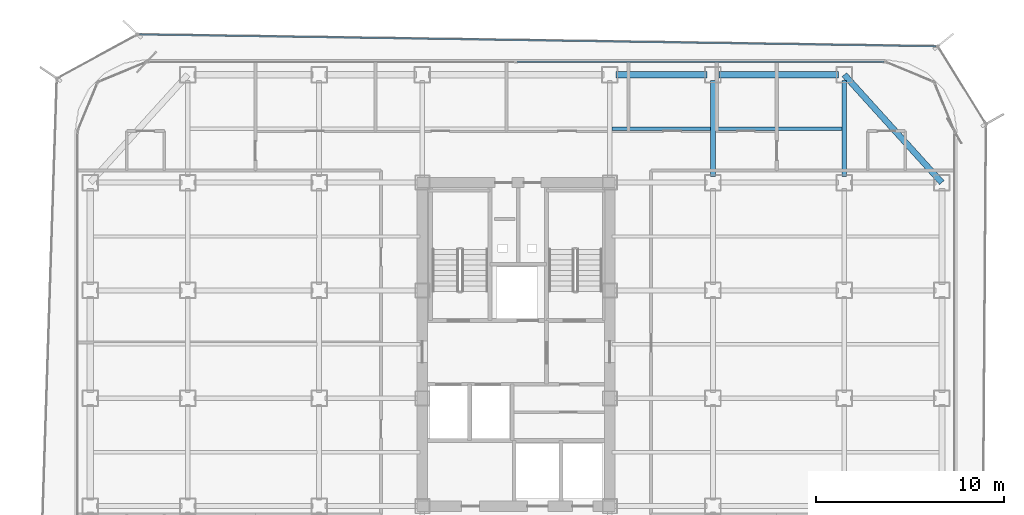
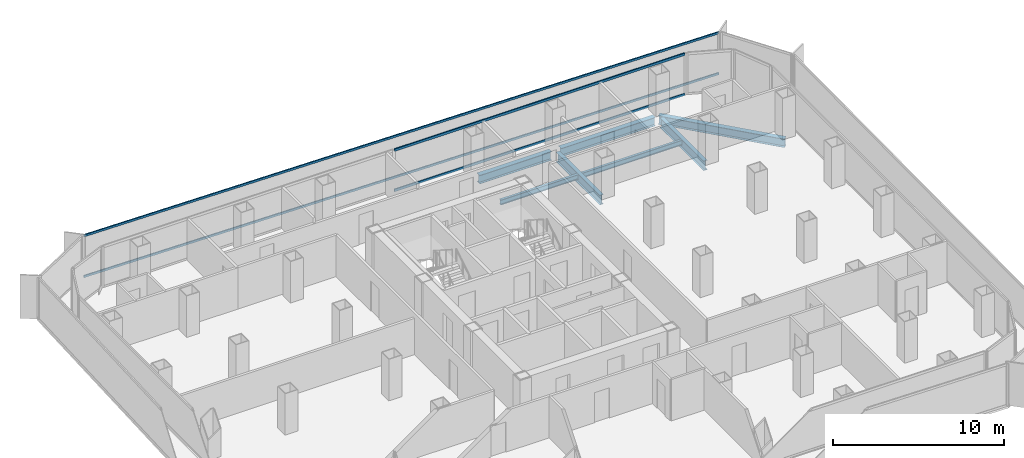
# One storey, part 13 of 21: 7 beams, 4 members, 2 elements without a shape of their own.
"""IFC4 building model written with IfcOpenShell, lengths in metres."""

from ifc_helpers import new_model, si_unit, direction, frame, origin, origin_2d, place, context, subcontext, project, spatial, hollow_rectangle, i_section, extrude, source, transform, mapped, material, layer, layer_set, material_profile, profile_set, type_object, element, aggregate, save


model = new_model("IFC4")

# Units and contexts
model_context = context("Model", 3, precision=1e-05, world=origin(), true_north=direction((0.0, 1.0)))
body_context = subcontext(model_context, "Body", "Model", "MODEL_VIEW")
ifc_project = project(units=[si_unit("LENGTHUNIT", "METRE"), si_unit("AREAUNIT", "SQUARE_METRE"), si_unit("VOLUMEUNIT", "CUBIC_METRE"), si_unit("PLANEANGLEUNIT", "RADIAN"), si_unit("MASSUNIT", "GRAM", prefix="KILO")], contexts=[model_context])

# Site, building, storey
site_placement = place(None, origin())
site = spatial("IfcSite", under=ifc_project, at=site_placement, CompositionType="ELEMENT")
building_placement = place(site_placement, origin())
building = spatial("IfcBuilding", under=site, at=building_placement, Name="Kolveth Station Tower", CompositionType="ELEMENT")
storey_placement = place(building_placement, frame((0.0, 0.0, 127.89990234375)))
storey = spatial("IfcBuildingStorey", under=building, at=storey_placement, Name="L35", CompositionType="ELEMENT", Elevation=127.89990234375)

# Beams
ifc_material_1 = material(Name="Steel S355", Category="steel")
ifc_material_profile_1 = material_profile(ifc_material_1, i_section(OverallWidth=0.323974609375, OverallDepth=0.611083984375, WebThickness=0.0126953125, FlangeThickness=0.01904296875, at=origin_2d()), Name="W610x155")
ifc_profile_set_1 = profile_set([ifc_material_profile_1], Name="Steel S355")
beam_type_1 = type_object("IfcBeamType", Name="Beam_SP2", PredefinedType="SPANDREL", material=ifc_profile_set_1)
shared_shape_1 = source(origin(), body_context, "Body", "SweptSolid", [
    extrude(i_section(OverallWidth=0.323974609375, OverallDepth=0.611083984375, WebThickness=0.0126953125, FlangeThickness=0.01904296875, at=origin_2d()), origin(), (0.0, 0.0, 1.0), 6.35986328125),
])
beam_1_placement = place(storey_placement, frame((34.320068359375, 34.5, -0.555419921875), z_axis=(1.0, 0.0, 0.0), x_axis=(0.0, 1.0, 0.0)))
element("IfcBeam", 1, at=beam_1_placement, inside=storey, type_object=beam_type_1, Name="L35 Perimeter Spandrel BM-L35-PN-5", PredefinedType="SPANDREL", context=body_context, shape_type="MappedRepresentation", body=[
    mapped(shared_shape_1, transform((0.0, 0.0, 0.0), x_axis=(1.0, 0.0, 0.0), y_axis=(0.0, 1.0, 0.0), z_axis=(0.0, 0.0, 1.0), scale=1.0)),
])
shared_shape_2 = source(origin(), body_context, "Body", "SweptSolid", [
    extrude(i_section(OverallWidth=0.323974609375, OverallDepth=0.611083984375, WebThickness=0.0126953125, FlangeThickness=0.01904296875, at=origin_2d()), origin(), (0.0, 0.0, 1.0), 4.85986328125),
])
beam_2_placement = place(storey_placement, frame((28.820068359375, 34.5, -0.555419921875), z_axis=(1.0, 0.0, 0.0), x_axis=(0.0, 1.0, 0.0)))
element("IfcBeam", 2, at=beam_2_placement, inside=storey, type_object=beam_type_1, Name="L35 Perimeter Spandrel BM-L35-PN-4", PredefinedType="SPANDREL", context=body_context, shape_type="MappedRepresentation", body=[
    mapped(shared_shape_2, transform((0.0, 0.0, 0.0), x_axis=(1.0, 0.0, 0.0), y_axis=(0.0, 1.0, 0.0), z_axis=(0.0, 0.0, 1.0), scale=1.0)),
])
shared_shape_3 = source(origin(), body_context, "Body", "SweptSolid", [
    extrude(i_section(OverallWidth=0.323974609375, OverallDepth=0.611083984375, WebThickness=0.0126953125, FlangeThickness=0.01904296875, at=origin_2d()), origin(), (0.0, 0.0, 1.0), 7.75244140625),
])
beam_3_placement = place(storey_placement, frame((46.199951171875, 28.75, -0.555419921875), z_axis=(-0.670740965555, 0.74169168603, 0.0), x_axis=(-0.74169168603, -0.670740965555, 0.0)))
element("IfcBeam", 3, at=beam_3_placement, inside=storey, type_object=beam_type_1, Name="L35 Corner Edge Girder BM-L35-CNR-NE", PredefinedType="SPANDREL", context=body_context, shape_type="MappedRepresentation", body=[
    mapped(shared_shape_3, transform((0.0, 0.0, 0.0), x_axis=(1.0, 0.0, 0.0), y_axis=(0.0, 1.0, 0.0), z_axis=(0.0, 0.0, 1.0), scale=1.0)),
])
ifc_material_profile_2 = material_profile(ifc_material_1, i_section(OverallWidth=0.25390625, OverallDepth=0.68798828125, WebThickness=0.01318359375, FlangeThickness=0.02099609375, at=origin_2d()), Name="W690x152")
ifc_profile_set_2 = profile_set([ifc_material_profile_2], Name="Steel S355")
beam_type_2 = type_object("IfcBeamType", Name="Beam_B4", PredefinedType="BEAM", material=ifc_profile_set_2)
shared_shape_4 = source(origin(), body_context, "Body", "SweptSolid", [
    extrude(i_section(OverallWidth=0.25390625, OverallDepth=0.68798828125, WebThickness=0.01318359375, FlangeThickness=0.02099609375, at=origin_2d()), origin(), (0.0, 0.0, 1.0), 5.10986328125),
])
for number, where, z_axis, x_axis, name in (
    (4, (34.0, 29.070068359375, -0.593994140625), (0.0, 1.0, 0.0), (-1.0, 0.0, 0.0), "L35 Primary Girder BM-L35-GX340-6"),
    (5, (41.0, 29.070068359375, -0.593994140625), (0.0, 1.0, 0.0), (-1.0, 0.0, 0.0), "L35 Primary Girder BM-L35-GX410-6"),
):
    element("IfcBeam", number, at=place(storey_placement, frame(where, z_axis=z_axis, x_axis=x_axis)), inside=storey, type_object=beam_type_2, Name=name, PredefinedType="BEAM", context=body_context, shape_type="MappedRepresentation", body=[
        mapped(shared_shape_4, transform((0.0, 0.0, 0.0), x_axis=(1.0, 0.0, 0.0), y_axis=(0.0, 1.0, 0.0), z_axis=(0.0, 0.0, 1.0), scale=1.0)),
    ])
ifc_material_profile_3 = material_profile(ifc_material_1, i_section(OverallWidth=0.1708984375, OverallDepth=0.35205078125, WebThickness=0.0068359375, FlangeThickness=0.009765625, at=origin_2d()), Name="W360x44")
ifc_profile_set_3 = profile_set([ifc_material_profile_3], Name="Steel S355")
beam_type_3 = type_object("IfcBeamType", Name="Beam_J2", PredefinedType="JOIST", material=ifc_profile_set_3)
shared_shape_5 = source(origin(), body_context, "Body", "SweptSolid", [
    extrude(i_section(OverallWidth=0.1708984375, OverallDepth=0.35205078125, WebThickness=0.0068359375, FlangeThickness=0.009765625, at=origin_2d()), origin(), (0.0, 0.0, 1.0), 6.75),
])
beam_4_placement = place(storey_placement, frame((34.125, 31.625, -0.42578125), z_axis=(1.0, 0.0, 0.0), x_axis=(0.0, 1.0, 0.0)))
element("IfcBeam", 6, at=beam_4_placement, inside=storey, type_object=beam_type_3, Name="L35 Secondary Joist JST-L35-6-6", PredefinedType="JOIST", context=body_context, shape_type="MappedRepresentation", body=[
    mapped(shared_shape_5, transform((0.0, 0.0, 0.0), x_axis=(1.0, 0.0, 0.0), y_axis=(0.0, 1.0, 0.0), z_axis=(0.0, 0.0, 1.0), scale=1.0)),
])
shared_shape_6 = source(origin(), body_context, "Body", "SweptSolid", [
    extrude(i_section(OverallWidth=0.1708984375, OverallDepth=0.35205078125, WebThickness=0.0068359375, FlangeThickness=0.009765625, at=origin_2d()), origin(), (0.0, 0.0, 1.0), 5.25),
])
beam_5_placement = place(storey_placement, frame((28.625, 31.625, -0.42578125), z_axis=(1.0, 0.0, 0.0), x_axis=(0.0, 1.0, 0.0)))
element("IfcBeam", 7, at=beam_5_placement, inside=storey, type_object=beam_type_3, Name="L35 Secondary Joist JST-L35-5-6", PredefinedType="JOIST", context=body_context, shape_type="MappedRepresentation", body=[
    mapped(shared_shape_6, transform((0.0, 0.0, 0.0), x_axis=(1.0, 0.0, 0.0), y_axis=(0.0, 1.0, 0.0), z_axis=(0.0, 0.0, 1.0), scale=1.0)),
])

# Curtain wall, members
ifc_material_2 = material(Name="Aluminium 6063-T6 and low-E dark glass", Category="aluminium")
ifc_layer_1 = layer(ifc_material_2, 0.18994140625)
ifc_layer_set_1 = layer_set([ifc_layer_1], Name="Aluminium 6063-T6 and low-E dark glass")
curtain_wall_type_1 = type_object("IfcCurtainWallType", Name="CurtainWall_CW-Z2", PredefinedType="NOTDEFINED", material=ifc_layer_set_1)
curtain_wall_1_placement = place(storey_placement, origin())
curtain_wall_1 = element("IfcCurtainWall", 8, at=curtain_wall_1_placement, inside=storey, type_object=curtain_wall_type_1, Name="L35 Inner Thermal Curtain Wall 6", PredefinedType="NOTDEFINED")
ifc_material_3 = material(Name="Black anodized aluminium 6063-T6", Category="aluminium")
ifc_material_profile_4 = material_profile(ifc_material_3, hollow_rectangle(XDim=0.080078125, YDim=0.169921875, WallThickness=0.0048828125, at=origin_2d()), Name="ALU-80x170x5")
ifc_profile_set_4 = profile_set([ifc_material_profile_4], Name="Black anodized aluminium 6063-T6")
member_type_1 = type_object("IfcMemberType", Name="Transom_TR2", PredefinedType="USERDEFINED", material=ifc_profile_set_4)
shared_shape_7 = source(origin(), body_context, "Body", "SweptSolid", [
    extrude(hollow_rectangle(XDim=0.080078125, YDim=0.169921875, WallThickness=0.0048828125, at=origin_2d()), origin(), (0.0, 0.0, 1.0), 19.580078125),
])
member_1_placement = place(storey_placement, frame((43.1201171875, 35.179931640625, 0.0400390625), z_axis=(-1.0, 0.0, 0.0), x_axis=(0.0, -1.0, 0.0)))
member_1 = element("IfcMember", 9, at=member_1_placement, type_object=member_type_1, Name="CW-Z2 transom 1.1", ObjectType="TRANSOM", PredefinedType="USERDEFINED", context=body_context, shape_type="MappedRepresentation", body=[
    mapped(shared_shape_7, transform((0.0, 0.0, 0.0), x_axis=(1.0, 0.0, 0.0), y_axis=(0.0, 1.0, 0.0), z_axis=(0.0, 0.0, 1.0), scale=1.0)),
])
member_2_placement = place(storey_placement, frame((43.1201171875, 35.179931640625, 2.91015625), z_axis=(-1.0, 0.0, 0.0), x_axis=(0.0, -1.0, 0.0)))
member_2 = element("IfcMember", 10, at=member_2_placement, type_object=member_type_1, Name="CW-Z2 transom 1.2", ObjectType="TRANSOM", PredefinedType="USERDEFINED", context=body_context, shape_type="MappedRepresentation", body=[
    mapped(shared_shape_7, transform((0.0, 0.0, 0.0), x_axis=(1.0, 0.0, 0.0), y_axis=(0.0, 1.0, 0.0), z_axis=(0.0, 0.0, 1.0), scale=1.0)),
])
aggregate(curtain_wall_1, [member_1, member_2])

ifc_material_4 = material(Name="Black anodized aluminium 6063-T6 and dark solar glass", Category="aluminium")
ifc_layer_2 = layer(ifc_material_4, 0.159912109375)
ifc_layer_set_2 = layer_set([ifc_layer_2], Name="Black anodized aluminium 6063-T6 and dark solar glass")
curtain_wall_type_2 = type_object("IfcCurtainWallType", Name="OUTER SKIN CW-OS", PredefinedType="NOTDEFINED", material=ifc_layer_set_2)
curtain_wall_2_placement = place(storey_placement, origin())
curtain_wall_2 = element("IfcCurtainWall", 11, at=curtain_wall_2_placement, inside=storey, type_object=curtain_wall_type_2, Name="L35 Outer Ventilated Skin Curtain Wall 4", PredefinedType="NOTDEFINED")
ifc_material_profile_5 = material_profile(ifc_material_3, hollow_rectangle(XDim=0.080078125, YDim=0.14990234375, WallThickness=0.0048828125, at=origin_2d()), Name="ALU-80x150x5")
ifc_profile_set_5 = profile_set([ifc_material_profile_5], Name="Black anodized aluminium 6063-T6")
member_type_2 = type_object("IfcMemberType", Name="Transom_TR-OS", PredefinedType="USERDEFINED", material=ifc_profile_set_5)
shared_shape_8 = source(origin(), body_context, "Body", "SweptSolid", [
    extrude(hollow_rectangle(XDim=0.080078125, YDim=0.14990234375, WallThickness=0.0048828125, at=origin_2d()), origin(), (0.0, 0.0, 1.0), 42.480224609375),
])
member_3_placement = place(storey_placement, frame((45.901123046875, 36.0166015625, 0.0400390625), z_axis=(-0.999889808429, 0.014844898121, 0.0), x_axis=(-0.014844898121, -0.999889808429, 0.0)))
member_3 = element("IfcMember", 12, at=member_3_placement, type_object=member_type_2, Name="CW-OS transom 1.1", ObjectType="TRANSOM", PredefinedType="USERDEFINED", context=body_context, shape_type="MappedRepresentation", body=[
    mapped(shared_shape_8, transform((0.0, 0.0, 0.0), x_axis=(1.0, 0.0, 0.0), y_axis=(0.0, 1.0, 0.0), z_axis=(0.0, 0.0, 1.0), scale=1.0)),
])
member_4_placement = place(storey_placement, frame((45.901123046875, 36.0166015625, 2.9501953125), z_axis=(-0.999889808429, 0.014844898121, 0.0), x_axis=(-0.014844898121, -0.999889808429, 0.0)))
member_4 = element("IfcMember", 13, at=member_4_placement, type_object=member_type_2, Name="CW-OS transom 1.2", ObjectType="TRANSOM", PredefinedType="USERDEFINED", context=body_context, shape_type="MappedRepresentation", body=[
    mapped(shared_shape_8, transform((0.0, 0.0, 0.0), x_axis=(1.0, 0.0, 0.0), y_axis=(0.0, 1.0, 0.0), z_axis=(0.0, 0.0, 1.0), scale=1.0)),
])
aggregate(curtain_wall_2, [member_3, member_4])

save(model, "model.ifc")
